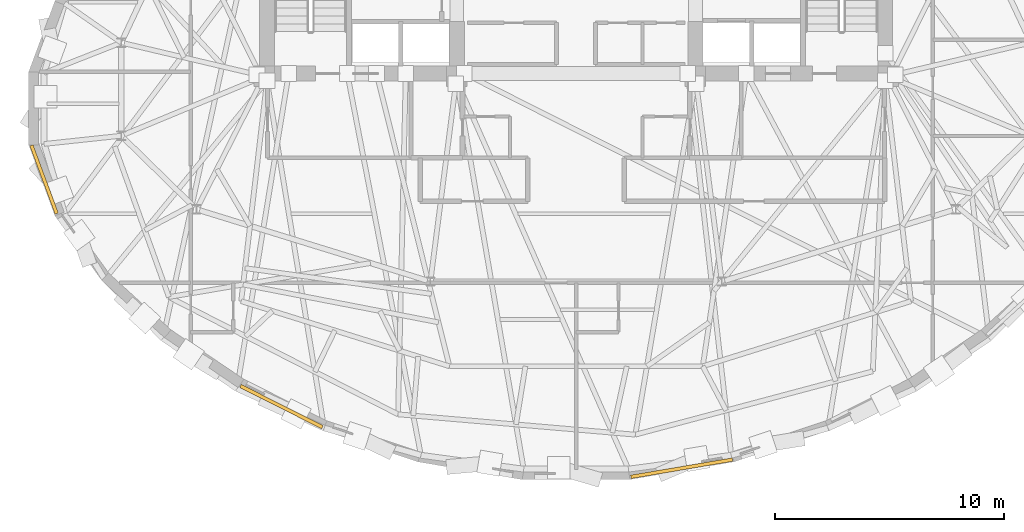
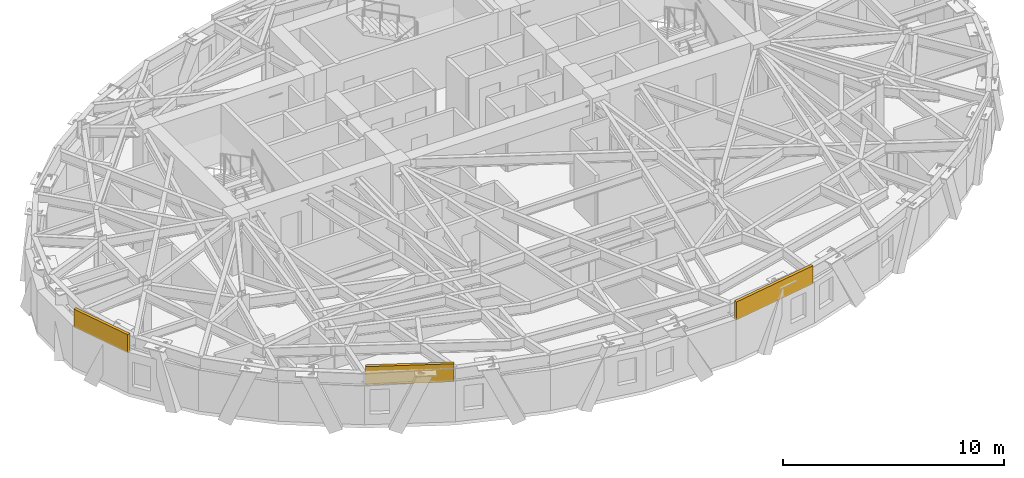
# One storey, part 10 of 12: 3 coverings.
"""IFC4 building model written with IfcOpenShell, lengths in metres."""

import ifcopenshell
import ifcopenshell.guid

model = None  # the IFC model being written
_history = None  # IfcOwnerHistory: only IFC2X3 demands one
_inside = {}  # id of a spatial element -> (the spatial element, [elements in it])
_under = {}  # id of a project, library or spatial element -> (it, [spatial elements below it])
_declared = {}  # id of a project -> (the project, [libraries it declares])
_typed = {}  # id of a type object -> (the type object, [elements of that type])
_made_of = {}  # id of a material, layer set ... -> (it, [elements and type objects made of it])


def new_model(schema):
    """Start an empty IFC model of exactly this schema.

    Asked for "IFC4X3", IfcOpenShell would pick the latest addendum, in which some entities
    have other attributes; the version numbers below select the first issue.
    IFC2X3 requires an IfcOwnerHistory on every rooted entity: one is made here for all.
    """
    global model, _history
    if schema == "IFC4X3":
        model = ifcopenshell.file(schema_version=(4, 3, 0, 0))
    else:
        model = ifcopenshell.file(schema=schema)
    _inside.clear()
    _under.clear()
    _declared.clear()
    _typed.clear()
    _made_of.clear()
    _history = None
    if model.schema == "IFC2X3":
        org = make("IfcOrganization", Name="unknown")
        user = make(
            "IfcPersonAndOrganization",
            ThePerson=make("IfcPerson", FamilyName="unknown"),
            TheOrganization=org,
        )
        app = make(
            "IfcApplication",
            ApplicationDeveloper=org,
            Version="unknown",
            ApplicationFullName="unknown",
            ApplicationIdentifier="unknown",
        )
        _history = make(
            "IfcOwnerHistory",
            OwningUser=user,
            OwningApplication=app,
            ChangeAction="ADDED",
            CreationDate=0,
        )
    return model


def make(cls, **values):
    """One entity of the class cls with the attributes given. An attribute that is None is left unset."""
    return model.create_entity(
        cls, **{name: value for name, value in values.items() if value is not None}
    )


def rooted(cls, **values):
    """An entity with a GlobalId (a new one), such as an element, a storey or a relation."""
    return make(cls, GlobalId=ifcopenshell.guid.new(), OwnerHistory=_history, **values)


def si_unit(unit_type, name, prefix=None):
    """IfcSIUnit, for example si_unit("LENGTHUNIT", "METRE", prefix="MILLI")."""
    return make("IfcSIUnit", UnitType=unit_type, Prefix=prefix, Name=name)


def assignment(units):
    """IfcUnitAssignment: the units of a project."""
    return None if units is None else make("IfcUnitAssignment", Units=units)


def point(xyz):
    """IfcCartesianPoint."""
    return None if xyz is None else make("IfcCartesianPoint", Coordinates=xyz)


def direction(xyz):
    """IfcDirection."""
    return None if xyz is None else make("IfcDirection", DirectionRatios=xyz)


def frame(location, z_axis=None, x_axis=None):
    """IfcAxis2Placement3D, a coordinate frame: its origin and axes. An axis left out is left unset."""
    return make(
        "IfcAxis2Placement3D",
        Location=point(location),
        Axis=direction(z_axis),
        RefDirection=direction(x_axis),
    )


def frame_2d(location, x_axis=None):
    """IfcAxis2Placement2D, a coordinate frame in the plane: its origin and x axis."""
    return make(
        "IfcAxis2Placement2D", Location=point(location), RefDirection=direction(x_axis)
    )


def origin():
    """The frame at (0, 0, 0) with its axes left unset."""
    return frame((0.0, 0.0, 0.0))


def origin_2d():
    """The frame at (0, 0) in the plane with its x axis left unset."""
    return frame_2d((0.0, 0.0))


def place(relative_to, where):
    """IfcLocalPlacement: puts the frame where relative to a parent placement (None: the world)."""
    return make(
        "IfcLocalPlacement", PlacementRelTo=relative_to, RelativePlacement=where
    )


def context(
    kind, dimensions, precision=None, world=None, true_north=None, identifier=None
):
    """IfcGeometricRepresentationContext, for example the 3D "Model" context."""
    return make(
        "IfcGeometricRepresentationContext",
        ContextIdentifier=identifier,
        ContextType=kind,
        CoordinateSpaceDimension=dimensions,
        Precision=precision,
        WorldCoordinateSystem=world,
        TrueNorth=true_north,
    )


def subcontext(parent, identifier, kind, view, scale=None):
    """IfcGeometricRepresentationSubContext, for example "Body" below "Model"."""
    return make(
        "IfcGeometricRepresentationSubContext",
        ContextIdentifier=identifier,
        ContextType=kind,
        ParentContext=parent,
        TargetScale=scale,
        TargetView=view,
    )


def project(units=None, contexts=None):
    """IfcProject with its units and contexts."""
    return rooted(
        "IfcProject",
        Name="project",
        RepresentationContexts=contexts,
        UnitsInContext=assignment(units),
    )


def spatial(cls, under=None, at=None, **own):
    """A site, building, storey or space (cls), placed at a placement, below another one or the project."""
    s = rooted(cls, ObjectPlacement=at, **own)
    if under is not None:
        _under.setdefault(under.id(), (under, []))[1].append(s)
    return s


def profile(cls, at=None, kind="AREA", **sizes):
    """A parametric profile (cls). Its sizes go by their IFC names, for example OverallWidth=200.0."""
    return make(cls, ProfileType=kind, Position=at, **sizes)


def rectangle(**sizes):
    """IfcRectangleProfileDef."""
    return profile("IfcRectangleProfileDef", **sizes)


def extrude(swept, where, along, depth):
    """IfcExtrudedAreaSolid: the profile swept, set in the frame where, extruded along a direction by depth."""
    return make(
        "IfcExtrudedAreaSolid",
        SweptArea=swept,
        Position=where,
        ExtrudedDirection=direction(along),
        Depth=depth,
    )


def shape(context_of_items, identifier, shape_type, items):
    """IfcShapeRepresentation: the items that make up one representation, for example the "Body"."""
    return make(
        "IfcShapeRepresentation",
        ContextOfItems=context_of_items,
        RepresentationIdentifier=identifier,
        RepresentationType=shape_type,
        Items=items,
    )


def material(Name=None, Category=None):
    """IfcMaterial."""
    return make("IfcMaterial", Name=Name, Category=Category)


def layer(
    of_material, thickness, ventilated=None, Name=None, Category=None, Priority=None
):
    """IfcMaterialLayer: one layer of a wall or slab, of a material (None: an air gap)."""
    return make(
        "IfcMaterialLayer",
        Material=of_material,
        LayerThickness=thickness,
        IsVentilated=ventilated,
        Name=Name,
        Category=Category,
        Priority=Priority,
    )


def layer_set(layers, Name=None):
    """IfcMaterialLayerSet."""
    return make("IfcMaterialLayerSet", MaterialLayers=layers, LayerSetName=Name)


def made_of(thing, what):
    """Note that an element or type object is made of a material, layer set ...; save() writes the relation."""
    if what is not None:
        _made_of.setdefault(what.id(), (what, []))[1].append(thing)
    return thing


def type_object(cls, material=None, **own):
    """A type object (cls), such as IfcWallType, which elements share."""
    return made_of(rooted(cls, **own), material)


def element(
    cls,
    number,
    at=None,
    inside=None,
    cuts=None,
    type_object=None,
    material=None,
    context=None,
    identifier="Body",
    shape_type=None,
    held_by="IfcProductDefinitionShape",
    body=None,
    shapes=None,
    **own,
):
    """One element of the class cls, such as IfcWall. Its Tag is "e" and its number.

    at: its placement. inside: the storey or other place that contains it. cuts: it is an
    opening in that element (IfcRelVoidsElement). A single representation is given by context,
    identifier, shape_type and body (its items); several are given by shapes. held_by: the class
    of the entity that holds the representations. save() writes the other relations.
    """
    e = rooted(cls, Tag="e%d" % number, ObjectPlacement=at, **own)
    if body is not None:
        shapes = [shape(context, identifier, shape_type, body)]
    if shapes is not None:
        e.Representation = make(held_by, Representations=shapes)
    if inside is not None:
        _inside.setdefault(inside.id(), (inside, []))[1].append(e)
    if cuts is not None:
        rooted(
            "IfcRelVoidsElement", RelatingBuildingElement=cuts, RelatedOpeningElement=e
        )
    if type_object is not None:
        _typed.setdefault(type_object.id(), (type_object, []))[1].append(e)
    return made_of(e, material)


def aggregate(whole, parts):
    """IfcRelAggregates: a whole, such as a stair, and the parts it consists of."""
    return rooted("IfcRelAggregates", RelatingObject=whole, RelatedObjects=parts)


def save(model, path):
    """Write the relations noted so far, then the file.

    IfcRelAggregates (storeys below a building ...), IfcRelContainedInSpatialStructure (elements
    in a storey), IfcRelDefinesByType, IfcRelAssociatesMaterial and IfcRelDeclares: one each for
    every whole, place, type object, material and project.
    """
    for whole, parts in _under.values():
        aggregate(whole, parts)
    for where, things in _inside.values():
        rooted(
            "IfcRelContainedInSpatialStructure",
            RelatedElements=things,
            RelatingStructure=where,
        )
    for kind, things in _typed.values():
        rooted("IfcRelDefinesByType", RelatedObjects=things, RelatingType=kind)
    for what, things in _made_of.values():
        rooted("IfcRelAssociatesMaterial", RelatedObjects=things, RelatingMaterial=what)
    for by, libraries in _declared.values():
        rooted("IfcRelDeclares", RelatingContext=by, RelatedDefinitions=libraries)
    model.write(path)


model = new_model("IFC4")

# Units and contexts
model_context = context("Model", 3, precision=1e-05, world=origin(), true_north=direction((0.0, 1.0)))
body_context = subcontext(model_context, "Body", "Model", "MODEL_VIEW")
ifc_project = project(units=[si_unit("LENGTHUNIT", "METRE"), si_unit("AREAUNIT", "SQUARE_METRE"), si_unit("VOLUMEUNIT", "CUBIC_METRE"), si_unit("PLANEANGLEUNIT", "RADIAN"), si_unit("MASSUNIT", "GRAM", prefix="KILO")], contexts=[model_context])

# Site, building, storey
site_placement = place(None, origin())
site = spatial("IfcSite", under=ifc_project, at=site_placement, CompositionType="ELEMENT")
building_placement = place(site_placement, origin())
building = spatial("IfcBuilding", under=site, at=building_placement, Name="Keldmark Tower", CompositionType="ELEMENT")
storey_placement = place(building_placement, frame((0.0, 0.0, 198.199951171875)))
storey = spatial("IfcBuildingStorey", under=building, at=storey_placement, Name="L55", CompositionType="ELEMENT", Elevation=198.199951171875)

# Coverings
ifc_material = material(Name="Honed Kasota Buff Dolomitic Limestone", Category="masonry")
ifc_layer = layer(ifc_material, 0.074951171875)
ifc_layer_set = layer_set([ifc_layer], Name="Honed Kasota Buff Dolomitic Limestone")
covering_type = type_object("IfcCoveringType", Name="Kasota Buff Limestone Spandrel Cladding Band", PredefinedType="CLADDING", material=ifc_layer_set)
covering_1_placement = place(storey_placement, frame((-23.191650390625, -3.095458984375, 2.178955078125), z_axis=(0.0, 0.0, 1.0), x_axis=(0.346804694192, -0.937937366825, 0.0)))
element("IfcCovering", 1, at=covering_1_placement, inside=storey, type_object=covering_type, Name="L55 Kasota Limestone Spandrel Band 17", PredefinedType="CLADDING", context=body_context, shape_type="SweptSolid", body=[
    extrude(rectangle(XDim=3.1640625, YDim=0.14990234375, at=origin_2d()), origin(), (0.0, 0.0, 1.0), 1.0009765625),
])
covering_2_placement = place(storey_placement, frame((-12.843505859375, -12.99755859375, 2.178955078125), z_axis=(0.0, 0.0, 1.0), x_axis=(0.892931804316, -0.450191951106, 0.0)))
element("IfcCovering", 2, at=covering_2_placement, inside=storey, type_object=covering_type, Name="L55 Kasota Limestone Spandrel Band 21", PredefinedType="CLADDING", context=body_context, shape_type="SweptSolid", body=[
    extrude(rectangle(XDim=3.996337890625, YDim=0.14990234375, at=origin_2d()), origin(), (0.0, 0.0, 1.0), 1.0009765625),
])
covering_3_placement = place(storey_placement, frame((4.603515625, -15.6845703125, 2.178955078125), z_axis=(0.0, 0.0, 1.0), x_axis=(0.985861828782, 0.167560301238, 0.0)))
element("IfcCovering", 3, at=covering_3_placement, inside=storey, type_object=covering_type, Name="L55 Kasota Limestone Spandrel Band 25", PredefinedType="CLADDING", context=body_context, shape_type="SweptSolid", body=[
    extrude(rectangle(XDim=4.488525390625, YDim=0.14990234375, at=origin_2d()), origin(), (0.0, 0.0, 1.0), 1.0009765625),
])

save(model, "model.ifc")
